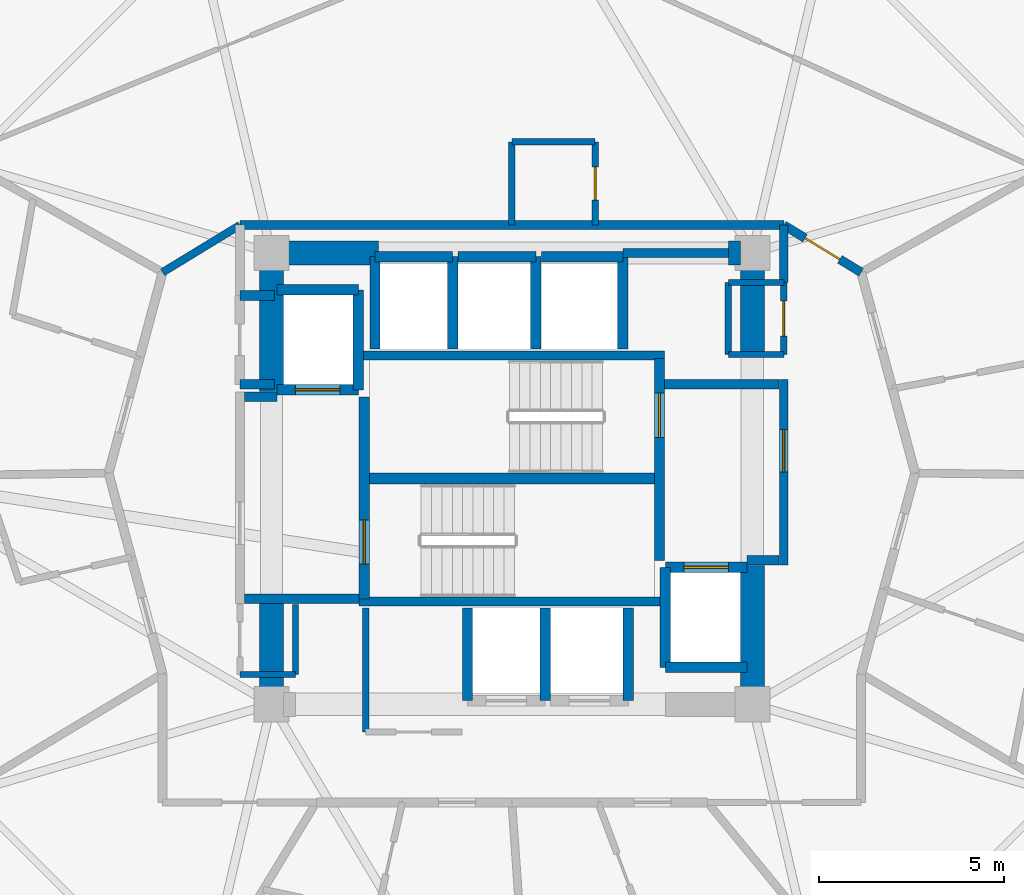
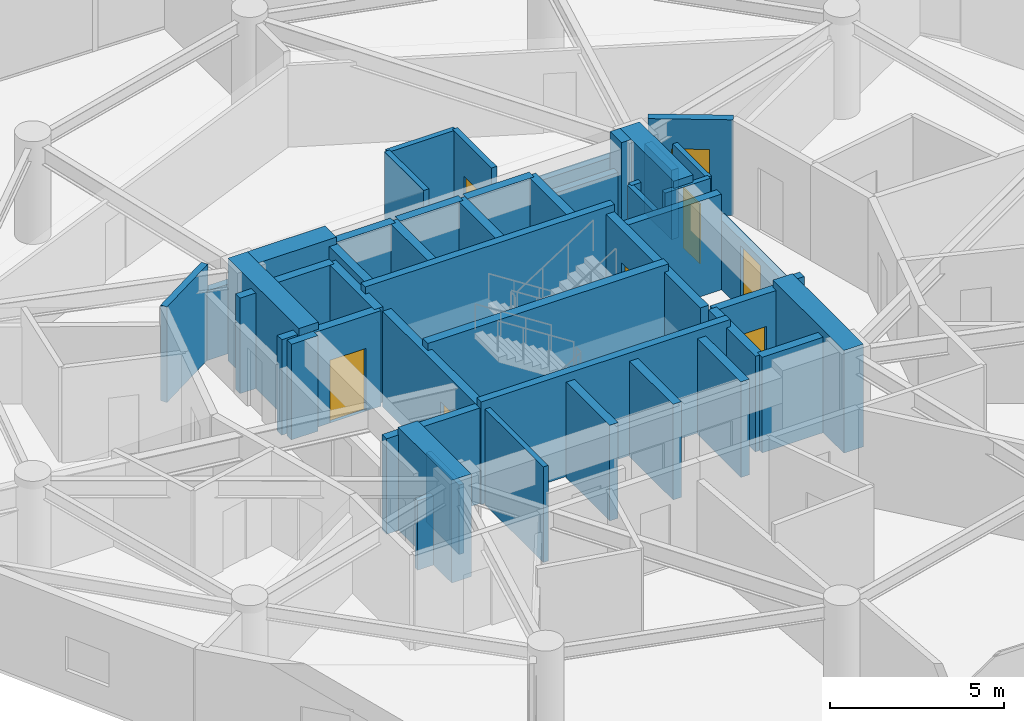
# One storey, part 16 of 20: 49 walls, 8 doors, 8 openings.
"""IFC4 building model written with IfcOpenShell, lengths in metres."""

from ifc_helpers import new_model, si_unit, direction, frame, frame_2d, origin, place, context, subcontext, project, spatial, rectangle, extrude, material, layer, layer_set, type_object, element, fill, save


model = new_model("IFC4")

# Units and contexts
model_context = context("Model", 3, precision=1e-05, world=origin(), true_north=direction((0.0, 1.0)))
body_context = subcontext(model_context, "Body", "Model", "MODEL_VIEW")
ifc_project = project(units=[si_unit("LENGTHUNIT", "METRE"), si_unit("AREAUNIT", "SQUARE_METRE"), si_unit("VOLUMEUNIT", "CUBIC_METRE"), si_unit("PLANEANGLEUNIT", "RADIAN"), si_unit("MASSUNIT", "GRAM", prefix="KILO")], contexts=[model_context])

# Site, building, storey
site_placement = place(None, origin())
site = spatial("IfcSite", under=ifc_project, at=site_placement, CompositionType="ELEMENT")
building_placement = place(site_placement, origin())
building = spatial("IfcBuilding", under=site, at=building_placement, Name="Solvirekh Grand Hotel", CompositionType="ELEMENT")
storey_placement = place(building_placement, frame((0.0, 0.0, 135.0)))
storey = spatial("IfcBuildingStorey", under=building, at=storey_placement, Name="L34", CompositionType="ELEMENT", Elevation=135.0)

# Walls
ifc_material_1 = material(Name="Concrete C50/60", Category="concrete")
ifc_layer_1 = layer(ifc_material_1, 0.35009765625)
ifc_layer_set_1 = layer_set([ifc_layer_1], Name="Concrete C50/60")
wall_type_1 = type_object("IfcWallType", Name="CoreDivWall_RC350", PredefinedType="SOLIDWALL", material=ifc_layer_set_1)
for number, where, z_axis, x_axis, name in (
    (1, (-4.1298828125, -3.324951171875, 0.0), (0.0, 0.0, 1.0), (1.0, 0.0, 0.0), "L34 core stair box wall ST-S"),
    (2, (-4.1298828125, 3.324951171875, 0.0), (0.0, 0.0, 1.0), (1.0, 0.0, 0.0), "L34 core stair box wall ST-N"),
):
    element("IfcWall", number, at=place(storey_placement, frame(where, z_axis=z_axis, x_axis=x_axis)), inside=storey, type_object=wall_type_1, Name=name, PredefinedType="SOLIDWALL", context=body_context, shape_type="SweptSolid", body=[
        extrude(rectangle(XDim=8.259765625, YDim=0.25, at=frame_2d((4.1298828125, 0.0))), origin(), (0.0, 0.0, 1.0), 3.60009765625),
    ])
ifc_material_2 = material(Name="Concrete C40/50", Category="concrete")
ifc_layer_2 = layer(ifc_material_2, 0.280029296875)
ifc_layer_set_2 = layer_set([ifc_layer_2], Name="Concrete C40/50")
wall_type_2 = type_object("IfcWallType", Name="CoreShaftWall_RC280", PredefinedType="SOLIDWALL", material=ifc_layer_set_2)
for number, where, z_axis, x_axis, name in (
    (3, (-1.199951171875, -3.5, 0.0), (0.0, 0.0, 1.0), (0.0, -1.0, 0.0), "L34 MP-1 hoistway W wall"),
    (4, (0.89990234375, -6.0, 0.0), (0.0, 0.0, 1.0), (0.0, 1.0, 0.0), "L34 MP-1 hoistway E wall"),
    (5, (3.14990234375, -6.0, 0.0), (0.0, 0.0, 1.0), (0.0, 1.0, 0.0), "L34 MP-2 hoistway E wall"),
):
    element("IfcWall", number, at=place(storey_placement, frame(where, z_axis=z_axis, x_axis=x_axis)), inside=storey, type_object=wall_type_2, Name=name, PredefinedType="SOLIDWALL", context=body_context, shape_type="SweptSolid", body=[
        extrude(rectangle(XDim=2.5, YDim=0.280029296875, at=frame_2d((1.25, 0.0))), origin(), (0.0, 0.0, 1.0), 3.35009765625),
    ])
wall_1_placement = place(storey_placement, frame((-1.60009765625, 6.0, 0.0), z_axis=(0.0, 0.0, 1.0), x_axis=(-1.0, 0.0, 0.0)))
element("IfcWall", 6, at=wall_1_placement, inside=storey, type_object=wall_type_2, Name="L34 HP-1 hoistway N wall", PredefinedType="SOLIDWALL", context=body_context, shape_type="SweptSolid", body=[
    extrude(rectangle(XDim=2.099853515625, YDim=0.280029296875, at=frame_2d((1.0498046875, 0.0))), origin(), (0.0, 0.0, 1.0), 3.35009765625),
])
for number, where, z_axis, x_axis, name in (
    (7, (-3.699951171875, 6.0, 0.0), (0.0, 0.0, 1.0), (0.0, -1.0, 0.0), "L34 HP-1 hoistway W wall"),
    (8, (-1.60009765625, 3.5, 0.0), (0.0, 0.0, 1.0), (0.0, 1.0, 0.0), "L34 HP-1 hoistway E wall"),
):
    element("IfcWall", number, at=place(storey_placement, frame(where, z_axis=z_axis, x_axis=x_axis)), inside=storey, type_object=wall_type_2, Name=name, PredefinedType="SOLIDWALL", context=body_context, shape_type="SweptSolid", body=[
        extrude(rectangle(XDim=2.5, YDim=0.280029296875, at=frame_2d((1.25, 0.0))), origin(), (0.0, 0.0, 1.0), 3.35009765625),
    ])
wall_2_placement = place(storey_placement, frame((0.64990234375, 6.0, 0.0), z_axis=(0.0, 0.0, 1.0), x_axis=(-1.0, 0.0, 0.0)))
element("IfcWall", 9, at=wall_2_placement, inside=storey, type_object=wall_type_2, Name="L34 HP-2 hoistway N wall", PredefinedType="SOLIDWALL", context=body_context, shape_type="SweptSolid", body=[
    extrude(rectangle(XDim=2.099853515625, YDim=0.280029296875, at=frame_2d((1.0498046875, 0.0))), origin(), (0.0, 0.0, 1.0), 3.35009765625),
])
wall_3_placement = place(storey_placement, frame((0.64990234375, 3.5, 0.0), z_axis=(0.0, 0.0, 1.0), x_axis=(0.0, 1.0, 0.0)))
element("IfcWall", 10, at=wall_3_placement, inside=storey, type_object=wall_type_2, Name="L34 HP-2 hoistway E wall", PredefinedType="SOLIDWALL", context=body_context, shape_type="SweptSolid", body=[
    extrude(rectangle(XDim=2.5, YDim=0.280029296875, at=frame_2d((1.25, 0.0))), origin(), (0.0, 0.0, 1.0), 3.35009765625),
])
wall_4_placement = place(storey_placement, frame((3.0, 6.0, 0.0), z_axis=(0.0, 0.0, 1.0), x_axis=(-1.0, 0.0, 0.0)))
element("IfcWall", 11, at=wall_4_placement, inside=storey, type_object=wall_type_2, Name="L34 EX-1 hoistway N wall", PredefinedType="SOLIDWALL", context=body_context, shape_type="SweptSolid", body=[
    extrude(rectangle(XDim=2.199951171875, YDim=0.280029296875, at=frame_2d((1.10009765625, 0.0))), origin(), (0.0, 0.0, 1.0), 3.35009765625),
])
wall_5_placement = place(storey_placement, frame((3.0, 3.5, 0.0), z_axis=(0.0, 0.0, 1.0), x_axis=(0.0, 1.0, 0.0)))
element("IfcWall", 12, at=wall_5_placement, inside=storey, type_object=wall_type_2, Name="L34 EX-1 hoistway E wall", PredefinedType="SOLIDWALL", context=body_context, shape_type="SweptSolid", body=[
    extrude(rectangle(XDim=2.5, YDim=0.280029296875, at=frame_2d((1.25, 0.0))), origin(), (0.0, 0.0, 1.0), 3.35009765625),
])

# Wall, opening, door
wall_6_placement = place(storey_placement, frame((-6.35009765625, 2.39990234375, 0.0), z_axis=(0.0, 0.0, 1.0), x_axis=(1.0, 0.0, 0.0)))
wall_6 = element("IfcWall", 13, at=wall_6_placement, inside=storey, type_object=wall_type_2, Name="L34 FL-1 hoistway S wall", PredefinedType="SOLIDWALL", context=body_context, shape_type="SweptSolid", body=[
    extrude(rectangle(XDim=2.2001953125, YDim=0.280029296875, at=frame_2d((1.10009765625, 0.0))), origin(), (0.0, 0.0, 1.0), 3.35009765625),
])
opening_1_placement = place(wall_6_placement, frame((0.5, 0.0, 0.0)))
opening_1 = element("IfcOpeningElement", 14, at=opening_1_placement, cuts=wall_6, Name="Opening LD02", PredefinedType="OPENING", context=body_context, shape_type="SweptSolid", body=[
    extrude(rectangle(XDim=1.199951171875, YDim=2.199951171875, at=frame_2d((0.60009765625, 1.10009765625))), frame((0.0, 0.14990234375, 0.0), z_axis=(0.0, -1.0, 0.0), x_axis=(1.0, 0.0, 0.0)), (0.0, 0.0, 1.0), 0.300048828125),
])
ifc_material_3 = material(Name="Fire-Rated Steel Door Assembly", Category="steel")
door_type_1 = type_object("IfcDoorType", Name="Door_LiftFF_1200X2200", OperationType="SLIDING_TO_LEFT", PredefinedType="DOOR", material=ifc_material_3)
door_1_placement = place(opening_1_placement, origin())
door_1 = element("IfcDoor", 15, at=door_1_placement, inside=storey, type_object=door_type_1, Name="L34 FL-1 sliding lift landing door", OperationType="SLIDING_TO_LEFT", OverallHeight=2.199951171875, OverallWidth=1.199951171875, PredefinedType="DOOR", context=body_context, shape_type="SweptSolid", body=[
    extrude(rectangle(XDim=1.199951171875, YDim=2.199951171875, at=frame_2d((0.60009765625, 1.10009765625))), frame((0.0, 0.02490234375, 0.0), z_axis=(0.0, -1.0, 0.0), x_axis=(1.0, 0.0, 0.0)), (0.0, 0.0, 1.0), 0.050048828125),
])
fill(opening_1, door_1)

# Walls
wall_7_placement = place(storey_placement, frame((-4.14990234375, 5.10009765625, 0.0), z_axis=(0.0, 0.0, 1.0), x_axis=(-1.0, 0.0, 0.0)))
element("IfcWall", 16, at=wall_7_placement, inside=storey, type_object=wall_type_2, Name="L34 FL-1 hoistway N wall", PredefinedType="SOLIDWALL", context=body_context, shape_type="SweptSolid", body=[
    extrude(rectangle(XDim=2.2001953125, YDim=0.280029296875, at=frame_2d((1.10009765625, 0.0))), origin(), (0.0, 0.0, 1.0), 3.35009765625),
])
wall_8_placement = place(storey_placement, frame((-4.14990234375, 2.39990234375, 0.0), z_axis=(0.0, 0.0, 1.0), x_axis=(0.0, 1.0, 0.0)))
element("IfcWall", 17, at=wall_8_placement, inside=storey, type_object=wall_type_2, Name="L34 FL-1 hoistway E wall", PredefinedType="SOLIDWALL", context=body_context, shape_type="SweptSolid", body=[
    extrude(rectangle(XDim=2.7001953125, YDim=0.280029296875, at=frame_2d((1.35009765625, 0.0))), origin(), (0.0, 0.0, 1.0), 3.35009765625),
])
wall_9_placement = place(storey_placement, frame((4.14990234375, -5.10009765625, 0.0), z_axis=(0.0, 0.0, 1.0), x_axis=(1.0, 0.0, 0.0)))
element("IfcWall", 18, at=wall_9_placement, inside=storey, type_object=wall_type_2, Name="L34 FL-2 hoistway S wall", PredefinedType="SOLIDWALL", context=body_context, shape_type="SweptSolid", body=[
    extrude(rectangle(XDim=2.2001953125, YDim=0.280029296875, at=frame_2d((1.10009765625, 0.0))), origin(), (0.0, 0.0, 1.0), 3.35009765625),
])

# Wall, opening, door
wall_10_placement = place(storey_placement, frame((6.35009765625, -2.39990234375, 0.0), z_axis=(0.0, 0.0, 1.0), x_axis=(-1.0, 0.0, 0.0)))
wall_10 = element("IfcWall", 19, at=wall_10_placement, inside=storey, type_object=wall_type_2, Name="L34 FL-2 hoistway N wall", PredefinedType="SOLIDWALL", context=body_context, shape_type="SweptSolid", body=[
    extrude(rectangle(XDim=2.2001953125, YDim=0.280029296875, at=frame_2d((1.10009765625, 0.0))), origin(), (0.0, 0.0, 1.0), 3.35009765625),
])
opening_2_placement = place(wall_10_placement, frame((0.5, 0.0, 0.0)))
opening_2 = element("IfcOpeningElement", 20, at=opening_2_placement, cuts=wall_10, Name="Opening LD02", PredefinedType="OPENING", context=body_context, shape_type="SweptSolid", body=[
    extrude(rectangle(XDim=1.199951171875, YDim=2.199951171875, at=frame_2d((0.60009765625, 1.10009765625))), frame((0.0, 0.14990234375, 0.0), z_axis=(0.0, -1.0, 0.0), x_axis=(1.0, 0.0, 0.0)), (0.0, 0.0, 1.0), 0.300048828125),
])
door_2_placement = place(opening_2_placement, origin())
door_2 = element("IfcDoor", 21, at=door_2_placement, inside=storey, type_object=door_type_1, Name="L34 FL-2 sliding lift landing door", OperationType="SLIDING_TO_LEFT", OverallHeight=2.199951171875, OverallWidth=1.199951171875, PredefinedType="DOOR", context=body_context, shape_type="SweptSolid", body=[
    extrude(rectangle(XDim=1.199951171875, YDim=2.199951171875, at=frame_2d((0.60009765625, 1.10009765625))), frame((0.0, 0.02490234375, 0.0), z_axis=(0.0, -1.0, 0.0), x_axis=(1.0, 0.0, 0.0)), (0.0, 0.0, 1.0), 0.050048828125),
])
fill(opening_2, door_2)

# Wall
wall_11_placement = place(storey_placement, frame((4.14990234375, -2.39990234375, 0.0), z_axis=(0.0, 0.0, 1.0), x_axis=(0.0, -1.0, 0.0)))
element("IfcWall", 22, at=wall_11_placement, inside=storey, type_object=wall_type_2, Name="L34 FL-2 hoistway W wall", PredefinedType="SOLIDWALL", context=body_context, shape_type="SweptSolid", body=[
    extrude(rectangle(XDim=2.7001953125, YDim=0.280029296875, at=frame_2d((1.35009765625, 0.0))), origin(), (0.0, 0.0, 1.0), 3.35009765625),
])

# Wall, opening, door
wall_12_placement = place(storey_placement, frame((-3.989990234375, -3.25, 0.0), z_axis=(0.0, 0.0, 1.0), x_axis=(0.0, 1.0, 0.0)))
wall_12 = element("IfcWall", 23, at=wall_12_placement, inside=storey, type_object=wall_type_2, Name="L34 west stair landing enclosure wall", PredefinedType="SOLIDWALL", context=body_context, shape_type="SweptSolid", body=[
    extrude(rectangle(XDim=5.4599609375, YDim=0.280029296875, at=frame_2d((2.72998046875, 0.0))), origin(), (0.0, 0.0, 1.0), 3.35009765625),
])
opening_3_placement = place(wall_12_placement, frame((0.93701171875, 0.0, 0.0)))
opening_3 = element("IfcOpeningElement", 24, at=opening_3_placement, cuts=wall_12, Name="Opening D05", PredefinedType="OPENING", context=body_context, shape_type="SweptSolid", body=[
    extrude(rectangle(XDim=1.199951171875, YDim=2.199951171875, at=frame_2d((0.60009765625, 1.10009765625))), frame((0.0, 0.14990234375, 0.0), z_axis=(0.0, -1.0, 0.0), x_axis=(1.0, 0.0, 0.0)), (0.0, 0.0, 1.0), 0.300048828125),
])
door_type_2 = type_object("IfcDoorType", Name="Door_StairCore_1200X2200", OperationType="NOTDEFINED", PredefinedType="DOOR", material=ifc_material_3)
door_3_placement = place(opening_3_placement, origin())
door_3 = element("IfcDoor", 25, at=door_3_placement, inside=storey, type_object=door_type_2, Name="L34 exit stair ST-1 fire door", OperationType="SINGLE_SWING_RIGHT", OverallHeight=2.199951171875, OverallWidth=1.199951171875, PredefinedType="DOOR", context=body_context, shape_type="SweptSolid", body=[
    extrude(rectangle(XDim=1.199951171875, YDim=2.199951171875, at=frame_2d((0.60009765625, 1.10009765625))), frame((0.0, 0.02490234375, 0.0), z_axis=(0.0, -1.0, 0.0), x_axis=(1.0, 0.0, 0.0)), (0.0, 0.0, 1.0), 0.050048828125),
])
fill(opening_3, door_3)

wall_13_placement = place(storey_placement, frame((3.989990234375, -2.2099609375, 0.0), z_axis=(0.0, 0.0, 1.0), x_axis=(0.0, 1.0, 0.0)))
wall_13 = element("IfcWall", 26, at=wall_13_placement, inside=storey, type_object=wall_type_2, Name="L34 east stair landing enclosure wall", PredefinedType="SOLIDWALL", context=body_context, shape_type="SweptSolid", body=[
    extrude(rectangle(XDim=5.4599609375, YDim=0.280029296875, at=frame_2d((2.72998046875, 0.0))), origin(), (0.0, 0.0, 1.0), 3.35009765625),
])
opening_4_placement = place(wall_13_placement, frame((3.322998046875, 0.0, 0.0)))
opening_4 = element("IfcOpeningElement", 27, at=opening_4_placement, cuts=wall_13, Name="Opening D05", PredefinedType="OPENING", context=body_context, shape_type="SweptSolid", body=[
    extrude(rectangle(XDim=1.199951171875, YDim=2.199951171875, at=frame_2d((0.60009765625, 1.10009765625))), frame((0.0, 0.14990234375, 0.0), z_axis=(0.0, -1.0, 0.0), x_axis=(1.0, 0.0, 0.0)), (0.0, 0.0, 1.0), 0.300048828125),
])
door_4_placement = place(opening_4_placement, origin())
door_4 = element("IfcDoor", 28, at=door_4_placement, inside=storey, type_object=door_type_2, Name="L34 exit stair ST-2 fire door", OperationType="SINGLE_SWING_LEFT", OverallHeight=2.199951171875, OverallWidth=1.199951171875, PredefinedType="DOOR", context=body_context, shape_type="SweptSolid", body=[
    extrude(rectangle(XDim=1.199951171875, YDim=2.199951171875, at=frame_2d((0.60009765625, 1.10009765625))), frame((0.0, 0.02490234375, 0.0), z_axis=(0.0, -1.0, 0.0), x_axis=(1.0, 0.0, 0.0)), (0.0, 0.0, 1.0), 0.050048828125),
])
fill(opening_4, door_4)

# Walls
ifc_layer_3 = layer(ifc_material_1, 0.64990234375)
ifc_layer_set_3 = layer_set([ifc_layer_3], Name="Concrete C50/60")
wall_type_3 = type_object("IfcWallType", Name="CoreWall_RC650", PredefinedType="SHEAR", material=ifc_layer_set_3)
wall_14_placement = place(storey_placement, frame((-3.989990234375, 0.0, 0.0), z_axis=(0.0, 0.0, 1.0), x_axis=(1.0, 0.0, 0.0)))
element("IfcWall", 29, at=wall_14_placement, inside=storey, type_object=wall_type_3, Name="L34 central stair-spine shear wall", PredefinedType="SHEAR", context=body_context, shape_type="SweptSolid", body=[
    extrude(rectangle(XDim=7.97998046875, YDim=0.300048828125, at=frame_2d((3.989990234375, 0.0))), origin(), (0.0, 0.0, 1.0), 3.60009765625),
])
wall_15_placement = place(storey_placement, frame((-6.175048828125, 6.10009765625, 0.0), z_axis=(0.0, 0.0, 1.0), x_axis=(1.0, 0.0, 0.0)))
element("IfcWall", 30, at=wall_15_placement, inside=storey, type_object=wall_type_3, Name="L34 core corner shear wall NW-N", PredefinedType="SHEAR", context=body_context, shape_type="SweptSolid", body=[
    extrude(rectangle(XDim=2.574951171875, YDim=0.64990234375, at=frame_2d((1.28759765625, 0.0))), origin(), (0.0, 0.0, 1.0), 3.60009765625),
])
wall_16_placement = place(storey_placement, frame((5.85009765625, 6.10009765625, 0.0), z_axis=(0.0, 0.0, 1.0), x_axis=(1.0, 0.0, 0.0)))
element("IfcWall", 31, at=wall_16_placement, inside=storey, type_object=wall_type_3, Name="L34 core corner shear wall NE-N", PredefinedType="SHEAR", context=body_context, shape_type="SweptSolid", body=[
    extrude(rectangle(XDim=0.324951171875, YDim=0.64990234375, at=frame_2d((0.16259765625, 0.0))), origin(), (0.0, 0.0, 1.0), 3.60009765625),
])
wall_17_placement = place(storey_placement, frame((-6.5, 2.35009765625, 0.0), z_axis=(0.0, 0.0, 1.0), x_axis=(0.0, 1.0, 0.0)))
element("IfcWall", 32, at=wall_17_placement, inside=storey, type_object=wall_type_3, Name="L34 core corner shear wall WN-W", PredefinedType="SHEAR", context=body_context, shape_type="SweptSolid", body=[
    extrude(rectangle(XDim=4.074951171875, YDim=0.64990234375, at=frame_2d((2.03759765625, 0.0))), origin(), (0.0, 0.0, 1.0), 3.60009765625),
])
wall_18_placement = place(storey_placement, frame((-6.5, -6.425048828125, 0.0), z_axis=(0.0, 0.0, 1.0), x_axis=(0.0, 1.0, 0.0)))
element("IfcWall", 33, at=wall_18_placement, inside=storey, type_object=wall_type_3, Name="L34 core corner shear wall WS-W", PredefinedType="SHEAR", context=body_context, shape_type="SweptSolid", body=[
    extrude(rectangle(XDim=3.074951171875, YDim=0.64990234375, at=frame_2d((1.53759765625, 0.0))), origin(), (0.0, 0.0, 1.0), 3.60009765625),
])
wall_19_placement = place(storey_placement, frame((6.5, -6.425048828125, 0.0), z_axis=(0.0, 0.0, 1.0), x_axis=(0.0, 1.0, 0.0)))
element("IfcWall", 34, at=wall_19_placement, inside=storey, type_object=wall_type_3, Name="L34 core corner shear wall ES-E", PredefinedType="SHEAR", context=body_context, shape_type="SweptSolid", body=[
    extrude(rectangle(XDim=4.074951171875, YDim=0.64990234375, at=frame_2d((2.03759765625, 0.0))), origin(), (0.0, 0.0, 1.0), 3.60009765625),
])
wall_20_placement = place(storey_placement, frame((6.5, 3.35009765625, 0.0), z_axis=(0.0, 0.0, 1.0), x_axis=(0.0, 1.0, 0.0)))
element("IfcWall", 35, at=wall_20_placement, inside=storey, type_object=wall_type_3, Name="L34 core corner shear wall EN-E", PredefinedType="SHEAR", context=body_context, shape_type="SweptSolid", body=[
    extrude(rectangle(XDim=3.074951171875, YDim=0.64990234375, at=frame_2d((1.53759765625, 0.0))), origin(), (0.0, 0.0, 1.0), 3.60009765625),
])
ifc_material_4 = material(Name="Acoustic Gypsum Partition Assembly")
ifc_layer_4 = layer(ifc_material_4, 0.1650390625)
ifc_layer_set_4 = layer_set([ifc_layer_4], Name="Acoustic Gypsum Partition Assembly")
wall_type_4 = type_object("IfcWallType", Name="Part_BOH_165", PredefinedType="PARTITIONING", material=ifc_layer_set_4)
wall_21_placement = place(storey_placement, frame((-7.35009765625, -5.300048828125, 0.0), z_axis=(0.0, 0.0, 1.0), x_axis=(1.0, 0.0, 0.0)))
element("IfcWall", 36, at=wall_21_placement, inside=storey, type_object=wall_type_4, Name="L34 L34 Butler Service Closet wall 1", PredefinedType="PARTITIONING", context=body_context, shape_type="SweptSolid", body=[
    extrude(rectangle(XDim=1.5, YDim=0.1650390625, at=frame_2d((0.75, 0.0))), origin(), (0.0, 0.0, 1.0), 2.43505859375),
])
wall_22_placement = place(storey_placement, frame((-5.85009765625, -5.300048828125, 0.0), z_axis=(0.0, 0.0, 1.0), x_axis=(0.0, 1.0, 0.0)))
element("IfcWall", 37, at=wall_22_placement, inside=storey, type_object=wall_type_4, Name="L34 L34 Butler Service Closet wall 2", PredefinedType="PARTITIONING", context=body_context, shape_type="SweptSolid", body=[
    extrude(rectangle(XDim=1.900146484375, YDim=0.1650390625, at=frame_2d((0.9501953125, 0.0))), origin(), (0.0, 0.0, 1.0), 2.43505859375),
])
wall_23_placement = place(storey_placement, frame((5.85009765625, 3.35009765625, 0.0), z_axis=(0.0, 0.0, 1.0), x_axis=(1.0, 0.0, 0.0)))
element("IfcWall", 38, at=wall_23_placement, inside=storey, type_object=wall_type_4, Name="L34 L34 Core Housekeeping Room wall 1", PredefinedType="PARTITIONING", context=body_context, shape_type="SweptSolid", body=[
    extrude(rectangle(XDim=1.5, YDim=0.1650390625, at=frame_2d((0.75, 0.0))), origin(), (0.0, 0.0, 1.0), 3.35009765625),
])

# Wall, opening, door
wall_24_placement = place(storey_placement, frame((7.35009765625, 3.35009765625, 0.0), z_axis=(0.0, 0.0, 1.0), x_axis=(0.0, 1.0, 0.0)))
wall_24 = element("IfcWall", 39, at=wall_24_placement, inside=storey, type_object=wall_type_4, Name="L34 L34 Core Housekeeping Room wall 2", PredefinedType="PARTITIONING", context=body_context, shape_type="SweptSolid", body=[
    extrude(rectangle(XDim=1.949951171875, YDim=0.1650390625, at=frame_2d((0.97509765625, 0.0))), origin(), (0.0, 0.0, 1.0), 3.35009765625),
])
opening_5_placement = place(wall_24_placement, frame((0.5, 0.0, 0.0)))
opening_5 = element("IfcOpeningElement", 40, at=opening_5_placement, cuts=wall_24, Name="Opening D10", PredefinedType="OPENING", context=body_context, shape_type="SweptSolid", body=[
    extrude(rectangle(XDim=0.949951171875, YDim=2.10009765625, at=frame_2d((0.47509765625, 1.050048828125))), frame((0.0, 0.092529296875, 0.0), z_axis=(0.0, -1.0, 0.0), x_axis=(1.0, 0.0, 0.0)), (0.0, 0.0, 1.0), 0.18505859375),
])
ifc_material_5 = material(Name="Anodized Bronze Aluminium 6063-T6", Category="aluminium")
door_type_3 = type_object("IfcDoorType", Name="Door_RoomInt_950X2100", OperationType="NOTDEFINED", PredefinedType="DOOR", material=ifc_material_5)
door_5_placement = place(opening_5_placement, origin())
door_5 = element("IfcDoor", 41, at=door_5_placement, inside=storey, type_object=door_type_3, Name="L34 L34 Core Housekeeping Room door", OperationType="SINGLE_SWING_RIGHT", OverallHeight=2.10009765625, OverallWidth=0.949951171875, PredefinedType="DOOR", context=body_context, shape_type="SweptSolid", body=[
    extrude(rectangle(XDim=0.949951171875, YDim=2.10009765625, at=frame_2d((0.47509765625, 1.050048828125))), frame((0.0, 0.02490234375, 0.0), z_axis=(0.0, -1.0, 0.0), x_axis=(1.0, 0.0, 0.0)), (0.0, 0.0, 1.0), 0.050048828125),
])
fill(opening_5, door_5)

# Walls
wall_25_placement = place(storey_placement, frame((7.35009765625, 5.300048828125, 0.0), z_axis=(0.0, 0.0, 1.0), x_axis=(-1.0, 0.0, 0.0)))
element("IfcWall", 42, at=wall_25_placement, inside=storey, type_object=wall_type_4, Name="L34 L34 Core Housekeeping Room wall 3", PredefinedType="PARTITIONING", context=body_context, shape_type="SweptSolid", body=[
    extrude(rectangle(XDim=1.5, YDim=0.1650390625, at=frame_2d((0.75, 0.0))), origin(), (0.0, 0.0, 1.0), 2.43505859375),
])
wall_26_placement = place(storey_placement, frame((5.85009765625, 5.300048828125, 0.0), z_axis=(0.0, 0.0, 1.0), x_axis=(0.0, -1.0, 0.0)))
element("IfcWall", 43, at=wall_26_placement, inside=storey, type_object=wall_type_4, Name="L34 L34 Core Housekeeping Room wall 4", PredefinedType="PARTITIONING", context=body_context, shape_type="SweptSolid", body=[
    extrude(rectangle(XDim=1.949951171875, YDim=0.1650390625, at=frame_2d((0.97509765625, 0.0))), origin(), (0.0, 0.0, 1.0), 2.43505859375),
])
wall_27_placement = place(storey_placement, frame((-3.949951171875, -3.5, 0.0), z_axis=(0.0, 0.0, 1.0), x_axis=(0.0, -1.0, 0.0)))
element("IfcWall", 44, at=wall_27_placement, inside=storey, type_object=wall_type_4, Name="L34 Mid-Zone Housekeeping Room wall 4", PredefinedType="PARTITIONING", context=body_context, shape_type="SweptSolid", body=[
    extrude(rectangle(XDim=3.35009765625, YDim=0.1650390625, at=frame_2d((1.675048828125, 0.0))), origin(), (0.0, 0.0, 1.0), 3.35009765625),
])

# Wall, opening, door
ifc_layer_5 = layer(ifc_material_4, 0.239990234375)
ifc_layer_set_5 = layer_set([ifc_layer_5], Name="Acoustic Gypsum Partition Assembly")
wall_type_5 = type_object("IfcWallType", Name="Part_Corridor_240", PredefinedType="PARTITIONING", material=ifc_layer_set_5)
wall_28_placement = place(storey_placement, frame((7.35009765625, -2.340087890625, 0.0), z_axis=(0.0, 0.0, 1.0), x_axis=(0.0, 1.0, 0.0)))
wall_28 = element("IfcWall", 45, at=wall_28_placement, inside=storey, type_object=wall_type_5, Name="L34 east firefighting lobby smoke screen wall", PredefinedType="PARTITIONING", context=body_context, shape_type="SweptSolid", body=[
    extrude(rectangle(XDim=5.02001953125, YDim=0.239990234375, at=frame_2d((2.510009765625, 0.0))), origin(), (0.0, 0.0, 1.0), 2.43505859375),
])
opening_6_placement = place(wall_28_placement, frame((2.514892578125, 0.0, 0.0)))
opening_6 = element("IfcOpeningElement", 46, at=opening_6_placement, cuts=wall_28, Name="Opening D06", PredefinedType="OPENING", context=body_context, shape_type="SweptSolid", body=[
    extrude(rectangle(XDim=1.14990234375, YDim=2.199951171875, at=frame_2d((0.574951171875, 1.10009765625))), frame((0.0, 0.1298828125, 0.0), z_axis=(0.0, -1.0, 0.0), x_axis=(1.0, 0.0, 0.0)), (0.0, 0.0, 1.0), 0.260009765625),
])
door_type_4 = type_object("IfcDoorType", Name="Door_FFLobby_1150X2200", OperationType="NOTDEFINED", PredefinedType="DOOR", material=ifc_material_3)
door_6_placement = place(opening_6_placement, origin())
door_6 = element("IfcDoor", 47, at=door_6_placement, inside=storey, type_object=door_type_4, Name="L34 east firefighting lobby smoke door", OperationType="SINGLE_SWING_LEFT", OverallHeight=2.199951171875, OverallWidth=1.14990234375, PredefinedType="DOOR", context=body_context, shape_type="SweptSolid", body=[
    extrude(rectangle(XDim=1.14990234375, YDim=2.199951171875, at=frame_2d((0.574951171875, 1.10009765625))), frame((0.0, 0.02490234375, 0.0), z_axis=(0.0, -1.0, 0.0), x_axis=(1.0, 0.0, 0.0)), (0.0, 0.0, 1.0), 0.050048828125),
])
fill(opening_6, door_6)

# Walls
wall_29_placement = place(storey_placement, frame((-7.35009765625, 6.85009765625, 0.0), z_axis=(0.0, 0.0, 1.0), x_axis=(1.0, 0.0, 0.0)))
element("IfcWall", 48, at=wall_29_placement, inside=storey, type_object=wall_type_5, Name="L34 north core backing partition", PredefinedType="PARTITIONING", context=body_context, shape_type="SweptSolid", body=[
    extrude(rectangle(XDim=14.7001953125, YDim=0.239990234375, at=frame_2d((7.35009765625, 0.0))), origin(), (0.0, 0.0, 1.0), 2.43505859375),
])
wall_30_placement = place(storey_placement, frame((7.35009765625, 5.300048828125, 0.0), z_axis=(0.0, 0.0, 1.0), x_axis=(0.0, 1.0, 0.0)))
element("IfcWall", 49, at=wall_30_placement, inside=storey, type_object=wall_type_5, Name="L34 NE core cheek closure wall", PredefinedType="PARTITIONING", context=body_context, shape_type="SweptSolid", body=[
    extrude(rectangle(XDim=1.550048828125, YDim=0.239990234375, at=frame_2d((0.77490234375, 0.0))), origin(), (0.0, 0.0, 1.0), 2.43505859375),
])
wall_31_placement = place(storey_placement, frame((3.0, 6.10009765625, 0.0), z_axis=(0.0, 0.0, 1.0), x_axis=(1.0, 0.0, 0.0)))
element("IfcWall", 50, at=wall_31_placement, inside=storey, type_object=wall_type_5, Name="L34 north core shaft infill wall", PredefinedType="PARTITIONING", context=body_context, shape_type="SweptSolid", body=[
    extrude(rectangle(XDim=2.85009765625, YDim=0.239990234375, at=frame_2d((1.425048828125, 0.0))), origin(), (0.0, 0.0, 1.0), 2.43505859375),
])

# Wall, opening, door
wall_32_placement = place(storey_placement, frame((7.35009765625, 6.85009765625, 0.0), z_axis=(0.0, 0.0, 1.0), x_axis=(0.853641534933, -0.520860950579, 0.0)))
wall_32 = element("IfcWall", 51, at=wall_32_placement, inside=storey, type_object=wall_type_5, Name="L34 Panorama Suite 3601 Inner Suite Lounge entrance wall", PredefinedType="PARTITIONING", context=body_context, shape_type="SweptSolid", body=[
    extrude(rectangle(XDim=2.4482421875, YDim=0.239990234375, at=frame_2d((1.22412109375, 0.0))), origin(), (0.0, 0.0, 1.0), 3.35009765625),
])
opening_7_placement = place(wall_32_placement, frame((0.674072265625, 0.0, 0.0)))
opening_7 = element("IfcOpeningElement", 52, at=opening_7_placement, cuts=wall_32, Name="Opening D08", PredefinedType="OPENING", context=body_context, shape_type="SweptSolid", body=[
    extrude(rectangle(XDim=1.10009765625, YDim=2.300048828125, at=frame_2d((0.550048828125, 1.14990234375))), frame((0.0, 0.1298828125, 0.0), z_axis=(0.0, -1.0, 0.0), x_axis=(1.0, 0.0, 0.0)), (0.0, 0.0, 1.0), 0.260009765625),
])
door_type_5 = type_object("IfcDoorType", Name="Door_SuiteEntry_1100X2300", OperationType="NOTDEFINED", PredefinedType="DOOR", material=ifc_material_3)
door_7_placement = place(opening_7_placement, origin())
door_7 = element("IfcDoor", 53, at=door_7_placement, inside=storey, type_object=door_type_5, Name="L34 Panorama Suite 3601 Inner Suite Lounge entrance door", OperationType="SINGLE_SWING_LEFT", OverallHeight=2.300048828125, OverallWidth=1.10009765625, PredefinedType="DOOR", context=body_context, shape_type="SweptSolid", body=[
    extrude(rectangle(XDim=1.10009765625, YDim=2.300048828125, at=frame_2d((0.550048828125, 1.14990234375))), frame((0.0, 0.02490234375, 0.0), z_axis=(0.0, -1.0, 0.0), x_axis=(1.0, 0.0, 0.0)), (0.0, 0.0, 1.0), 0.050048828125),
])
fill(opening_7, door_7)

# Walls
ifc_layer_6 = layer(ifc_material_4, 0.260009765625)
ifc_layer_set_6 = layer_set([ifc_layer_6], Name="Acoustic Gypsum Partition Assembly")
wall_type_6 = type_object("IfcWallType", Name="Part_LobbyFF_260", PredefinedType="PARTITIONING", material=ifc_layer_set_6)
wall_33_placement = place(storey_placement, frame((-7.22509765625, -3.25, 0.0), z_axis=(0.0, 0.0, 1.0), x_axis=(1.0, 0.0, 0.0)))
element("IfcWall", 54, at=wall_33_placement, inside=storey, type_object=wall_type_6, Name="L34 west firefighting lobby south partition", PredefinedType="PARTITIONING", context=body_context, shape_type="SweptSolid", body=[
    extrude(rectangle(XDim=3.09521484375, YDim=0.260009765625, at=frame_2d((1.547607421875, 0.0))), origin(), (0.0, 0.0, 1.0), 3.35009765625),
])
for number, where, z_axis, x_axis, name in (
    (55, (-7.22509765625, 2.2099609375, 0.0), (0.0, 0.0, 1.0), (1.0, 0.0, 0.0), "L34 west firefighting lobby NW cheek"),
    (56, (6.35009765625, -2.2099609375, 0.0), (0.0, 0.0, 1.0), (1.0, 0.0, 0.0), "L34 east firefighting lobby SE cheek"),
):
    element("IfcWall", number, at=place(storey_placement, frame(where, z_axis=z_axis, x_axis=x_axis)), inside=storey, type_object=wall_type_6, Name=name, PredefinedType="PARTITIONING", context=body_context, shape_type="SweptSolid", body=[
        extrude(rectangle(XDim=0.875, YDim=0.260009765625, at=frame_2d((0.4375, 0.0))), origin(), (0.0, 0.0, 1.0), 3.35009765625),
    ])
wall_34_placement = place(storey_placement, frame((4.1298828125, 2.550048828125, 0.0), z_axis=(0.0, 0.0, 1.0), x_axis=(1.0, 0.0, 0.0)))
element("IfcWall", 57, at=wall_34_placement, inside=storey, type_object=wall_type_6, Name="L34 east firefighting lobby north partition", PredefinedType="PARTITIONING", context=body_context, shape_type="SweptSolid", body=[
    extrude(rectangle(XDim=3.09521484375, YDim=0.260009765625, at=frame_2d((1.547607421875, 0.0))), origin(), (0.0, 0.0, 1.0), 3.35009765625),
])
for number, where, z_axis, x_axis, name in (
    (58, (-7.35009765625, 4.949951171875, 0.0), (0.0, 0.0, 1.0), (1.0, 0.0, 0.0), "L34 NW telecom metering cupboard north wall"),
    (59, (-7.35009765625, 2.550048828125, 0.0), (0.0, 0.0, 1.0), (1.0, 0.0, 0.0), "L34 NW telecom metering cupboard south wall"),
):
    element("IfcWall", number, at=place(storey_placement, frame(where, z_axis=z_axis, x_axis=x_axis)), inside=storey, type_object=wall_type_6, Name=name, PredefinedType="PARTITIONING", context=body_context, shape_type="SweptSolid", body=[
        extrude(rectangle(XDim=0.93017578125, YDim=0.260009765625, at=frame_2d((0.465087890625, 0.0))), origin(), (0.0, 0.0, 1.0), 3.35009765625),
    ])
ifc_layer_7 = layer(ifc_material_4, 0.2099609375)
ifc_layer_set_7 = layer_set([ifc_layer_7], Name="Acoustic Gypsum Partition Assembly")
wall_type_7 = type_object("IfcWallType", Name="Part_SuiteDemise_210", PredefinedType="PARTITIONING", material=ifc_layer_set_7)
wall_35_placement = place(storey_placement, frame((-9.43994140625, 5.574951171875, 0.0), z_axis=(0.0, 0.0, 1.0), x_axis=(0.853641534933, 0.520860950579, 0.0)))
element("IfcWall", 60, at=wall_35_placement, inside=storey, type_object=wall_type_7, Name="L34 Panorama Suite 3601 Inner Suite Lounge dividing partition 1", PredefinedType="PARTITIONING", context=body_context, shape_type="SweptSolid", body=[
    extrude(rectangle(XDim=2.4482421875, YDim=0.2099609375, at=frame_2d((1.22412109375, 0.0))), origin(), (0.0, 0.0, 1.0), 3.35009765625),
])
ifc_layer_8 = layer(ifc_material_4, 0.175048828125)
ifc_layer_set_8 = layer_set([ifc_layer_8], Name="Acoustic Gypsum Partition Assembly")
wall_type_8 = type_object("IfcWallType", Name="Plumb_Ensuite_175", PredefinedType="PLUMBINGWALL", material=ifc_layer_set_8)
for number, where, z_axis, x_axis, name in (
    (61, (0.0, 9.10009765625, 0.0), (0.0, 0.0, 1.0), (1.0, 0.0, 0.0), "L34 En-suite Bathroom 3601 outer plumbing wall"),
    (62, (0.0, 9.10009765625, 0.0), (0.0, 0.0, 1.0), (0.0, -1.0, 0.0), "L34 En-suite Bathroom 3601 side plumbing wall"),
):
    element("IfcWall", number, at=place(storey_placement, frame(where, z_axis=z_axis, x_axis=x_axis)), inside=storey, type_object=wall_type_8, Name=name, PredefinedType="PLUMBINGWALL", context=body_context, shape_type="SweptSolid", body=[
        extrude(rectangle(XDim=2.25, YDim=0.175048828125, at=frame_2d((1.125, 0.0))), origin(), (0.0, 0.0, 1.0), 3.35009765625),
    ])

# Wall, opening, door
wall_36_placement = place(storey_placement, frame((2.25, 6.85009765625, 0.0), z_axis=(0.0, 0.0, 1.0), x_axis=(0.0, 1.0, 0.0)))
wall_36 = element("IfcWall", 63, at=wall_36_placement, inside=storey, type_object=wall_type_8, Name="L34 En-suite Bathroom 3601 entry plumbing wall", PredefinedType="PLUMBINGWALL", context=body_context, shape_type="SweptSolid", body=[
    extrude(rectangle(XDim=2.25, YDim=0.175048828125, at=frame_2d((1.125, 0.0))), origin(), (0.0, 0.0, 1.0), 3.35009765625),
])
opening_8_placement = place(wall_36_placement, frame((0.675048828125, 0.0, 0.0)))
opening_8 = element("IfcOpeningElement", 64, at=opening_8_placement, cuts=wall_36, Name="Opening D09", PredefinedType="OPENING", context=body_context, shape_type="SweptSolid", body=[
    extrude(rectangle(XDim=0.89990234375, YDim=2.10009765625, at=frame_2d((0.449951171875, 1.050048828125))), frame((0.0, 0.09765625, 0.0), z_axis=(0.0, -1.0, 0.0), x_axis=(1.0, 0.0, 0.0)), (0.0, 0.0, 1.0), 0.195068359375),
])
door_type_6 = type_object("IfcDoorType", Name="Door_Ensuite_900X2100", OperationType="NOTDEFINED", PredefinedType="DOOR", material=ifc_material_5)
door_8_placement = place(opening_8_placement, origin())
door_8 = element("IfcDoor", 65, at=door_8_placement, inside=storey, type_object=door_type_6, Name="L34 En-suite Bathroom 3601 door", OperationType="SINGLE_SWING_RIGHT", OverallHeight=2.10009765625, OverallWidth=0.89990234375, PredefinedType="DOOR", context=body_context, shape_type="SweptSolid", body=[
    extrude(rectangle(XDim=0.89990234375, YDim=2.10009765625, at=frame_2d((0.449951171875, 1.050048828125))), frame((0.0, 0.02490234375, 0.0), z_axis=(0.0, -1.0, 0.0), x_axis=(1.0, 0.0, 0.0)), (0.0, 0.0, 1.0), 0.050048828125),
])
fill(opening_8, door_8)

save(model, "model.ifc")
